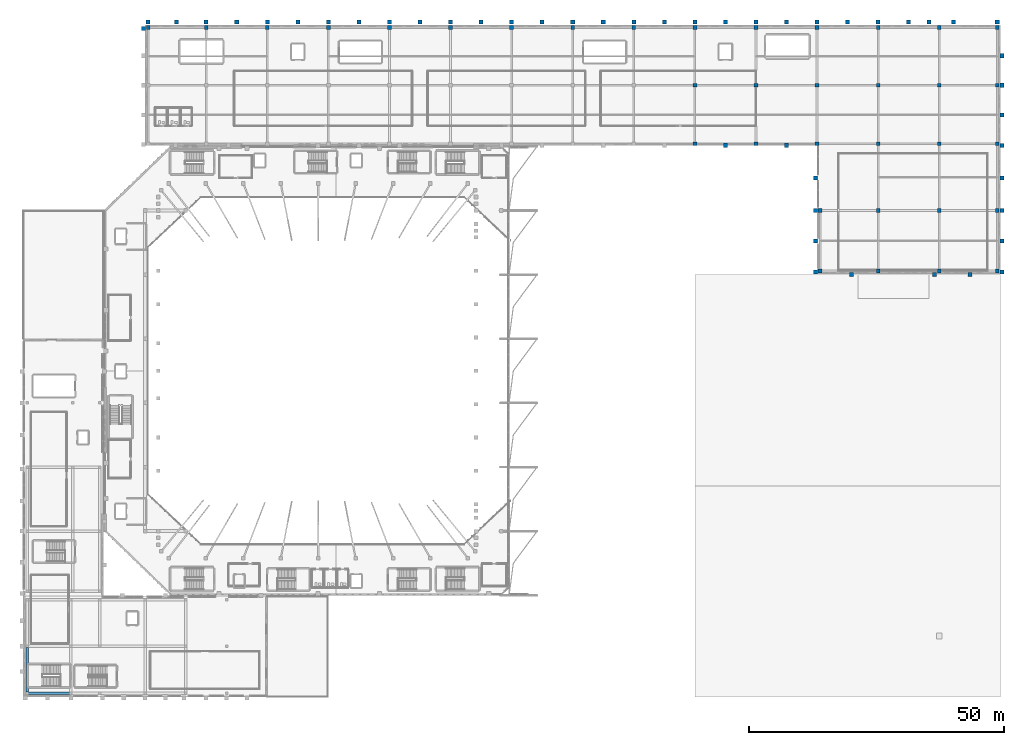
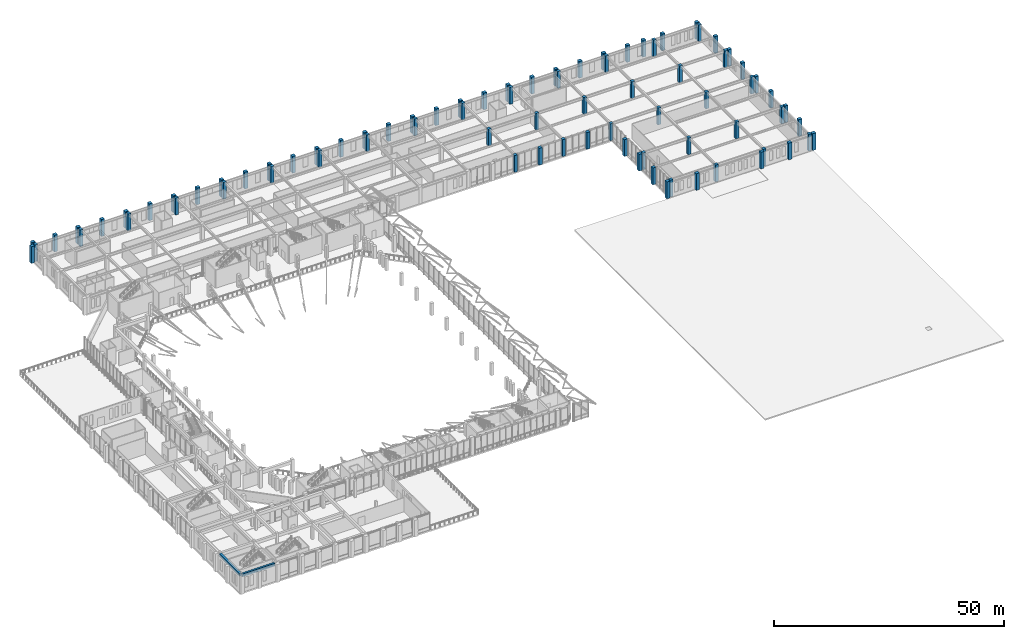
# One storey, part 2 of 79: 82 columns, 2 beams.
"""IFC4 building model written with IfcOpenShell, lengths in metres."""

from ifc_helpers import new_model, si_unit, derived_unit, direction, frame, origin, origin_2d, place, context, subcontext, project, spatial, rectangle, extrude, material, material_profile, profile_set, type_object, element, save


model = new_model("IFC4")

# Units and contexts
model_context = context("Model", 3, precision=1e-05, world=origin(), true_north=direction((0.0, 1.0)))
body_context = subcontext(model_context, "Body", "Model", "MODEL_VIEW")
ifc_project = project(units=[si_unit("LENGTHUNIT", "METRE"), si_unit("AREAUNIT", "SQUARE_METRE"), si_unit("VOLUMEUNIT", "CUBIC_METRE"), si_unit("PLANEANGLEUNIT", "RADIAN"), si_unit("MASSUNIT", "GRAM", prefix="KILO"), derived_unit("THERMALTRANSMITTANCEUNIT", [(si_unit("MASSUNIT", "GRAM", prefix="KILO"), 1), (si_unit("TIMEUNIT", "SECOND"), -3), (si_unit("THERMODYNAMICTEMPERATUREUNIT", "KELVIN"), -1)])], contexts=[model_context])

# Site, building, storey
site_placement = place(None, origin())
site = spatial("IfcSite", under=ifc_project, at=site_placement, CompositionType="ELEMENT")
building_placement = place(site_placement, origin())
building = spatial("IfcBuilding", under=site, at=building_placement, Name="Valcora Ridge Arena", CompositionType="ELEMENT")
storey_placement = place(building_placement, frame((0.0, 0.0, 16.199951171875)))
storey = spatial("IfcBuildingStorey", under=building, at=storey_placement, Name="L03", CompositionType="ELEMENT", Elevation=16.199951171875)

# Columns
ifc_material_1 = material(Name="Bush-hammered Andean travertine architectural concrete C45/55", Category="masonry")
ifc_material_profile_1 = material_profile(ifc_material_1, rectangle(XDim=0.800048828125, YDim=0.800048828125, at=origin_2d()), Name="RC 800x800")
ifc_profile_set_1 = profile_set([ifc_material_profile_1], Name="Bush-hammered Andean travertine architectural concrete C45/55")
column_type_1 = type_object("IfcColumnType", Name="TY-COLUMN-C-BUTT-800", PredefinedType="PILASTER", material=ifc_profile_set_1)
for number, where, z_axis, x_axis, name in (
    (1, (24.60009765625, 132.6201171875, 0.0), (0.0, 0.0, 1.0), (1.0, 0.0, 0.0), "C-BUTT-800 COL-C-BUTT-800-0058"),
    (2, (30.199951171875, 132.6201171875, 0.0), (0.0, 0.0, 1.0), (1.0, 0.0, 0.0), "C-BUTT-800 COL-C-BUTT-800-0059"),
    (3, (42.0, 132.6201171875, 0.0), (0.0, 0.0, 1.0), (1.0, 0.0, 0.0), "C-BUTT-800 COL-C-BUTT-800-0060"),
    (4, (54.0, 132.6201171875, 0.0), (0.0, 0.0, 1.0), (1.0, 0.0, 0.0), "C-BUTT-800 COL-C-BUTT-800-0061"),
    (5, (66.0, 132.6201171875, 0.0), (0.0, 0.0, 1.0), (1.0, 0.0, 0.0), "C-BUTT-800 COL-C-BUTT-800-0062"),
    (6, (78.0, 132.6201171875, 0.0), (0.0, 0.0, 1.0), (1.0, 0.0, 0.0), "C-BUTT-800 COL-C-BUTT-800-0063"),
    (7, (90.0, 132.6201171875, 0.0), (0.0, 0.0, 1.0), (1.0, 0.0, 0.0), "C-BUTT-800 COL-C-BUTT-800-0064"),
    (8, (102.0, 132.6201171875, 0.0), (0.0, 0.0, 1.0), (1.0, 0.0, 0.0), "C-BUTT-800 COL-C-BUTT-800-0065"),
    (9, (114.0, 132.6201171875, 0.0), (0.0, 0.0, 1.0), (1.0, 0.0, 0.0), "C-BUTT-800 COL-C-BUTT-800-0066"),
    (10, (126.0, 132.6201171875, 0.0), (0.0, 0.0, 1.0), (1.0, 0.0, 0.0), "C-BUTT-800 COL-C-BUTT-800-0067"),
    (11, (138.0, 132.6201171875, 0.0), (0.0, 0.0, 1.0), (1.0, 0.0, 0.0), "C-BUTT-800 COL-C-BUTT-800-0068"),
    (12, (150.0, 132.6201171875, 0.0), (0.0, 0.0, 1.0), (1.0, 0.0, 0.0), "C-BUTT-800 COL-C-BUTT-800-0069"),
    (13, (162.0, 132.6201171875, 0.0), (0.0, 0.0, 1.0), (1.0, 0.0, 0.0), "C-BUTT-800 COL-C-BUTT-800-0070"),
    (14, (174.0, 132.6201171875, 0.0), (0.0, 0.0, 1.0), (1.0, 0.0, 0.0), "C-BUTT-800 COL-C-BUTT-800-0071"),
    (15, (182.800048828125, 132.6201171875, 0.0), (0.0, 0.0, 1.0), (1.0, 0.0, 0.0), "C-BUTT-800 COL-C-BUTT-800-0072"),
    (16, (191.39990234375, 132.6201171875, 0.0), (0.0, 0.0, 1.0), (1.0, 0.0, 0.0), "C-BUTT-800 COL-C-BUTT-800-0073"),
    (17, (192.320068359375, 83.5, 0.0), (0.0, 0.0, 1.0), (1.0, 0.0, 0.0), "C-BUTT-800 COL-C-BUTT-800-0074"),
    (18, (192.320068359375, 89.60009765625, 0.0), (0.0, 0.0, 1.0), (1.0, 0.0, 0.0), "C-BUTT-800 COL-C-BUTT-800-0075"),
    (19, (192.320068359375, 95.60009765625, 0.0), (0.0, 0.0, 1.0), (1.0, 0.0, 0.0), "C-BUTT-800 COL-C-BUTT-800-0076"),
    (20, (192.320068359375, 102.0, 0.0), (0.0, 0.0, 1.0), (1.0, 0.0, 0.0), "C-BUTT-800 COL-C-BUTT-800-0077"),
    (21, (192.320068359375, 108.39990234375, 0.0), (0.0, 0.0, 1.0), (1.0, 0.0, 0.0), "C-BUTT-800 COL-C-BUTT-800-0078"),
    (22, (192.320068359375, 114.39990234375, 0.0), (0.0, 0.0, 1.0), (1.0, 0.0, 0.0), "C-BUTT-800 COL-C-BUTT-800-0079"),
    (23, (192.320068359375, 120.199951171875, 0.0), (0.0, 0.0, 1.0), (1.0, 0.0, 0.0), "C-BUTT-800 COL-C-BUTT-800-0080"),
    (24, (192.320068359375, 126.0, 0.0), (0.0, 0.0, 1.0), (1.0, 0.0, 0.0), "C-BUTT-800 COL-C-BUTT-800-0081"),
    (25, (23.679931640625, 131.35009765625, 0.0), (0.0, 0.0, 1.0), (1.0, 0.0, 0.0), "C-BUTT-800 COL-C-BUTT-800-0086"),
    (26, (155.679931640625, 83.5, 0.0), (0.0, 0.0, 1.0), (1.0, 0.0, 0.0), "C-BUTT-800 COL-C-BUTT-800-0087"),
    (27, (155.679931640625, 89.60009765625, 0.0), (0.0, 0.0, 1.0), (1.0, 0.0, 0.0), "C-BUTT-800 COL-C-BUTT-800-0088"),
    (28, (155.679931640625, 95.60009765625, 0.0), (0.0, 0.0, 1.0), (1.0, 0.0, 0.0), "C-BUTT-800 COL-C-BUTT-800-0089"),
    (29, (155.679931640625, 102.0, 0.0), (0.0, 0.0, 1.0), (1.0, 0.0, 0.0), "C-BUTT-800 COL-C-BUTT-800-0090"),
    (30, (162.800048828125, 83.0, 0.0), (0.0, 0.0, 1.0), (1.0, 0.0, 0.0), "C-BUTT-800 COL-C-BUTT-800-0091"),
    (31, (179.050048828125, 83.0, 0.0), (0.0, 0.0, 1.0), (1.0, 0.0, 0.0), "C-BUTT-800 COL-C-BUTT-800-0092"),
    (32, (186.0, 83.0, 0.0), (0.0, 0.0, 1.0), (1.0, 0.0, 0.0), "C-BUTT-800 COL-C-BUTT-800-0093"),
    (33, (36.0, 132.6201171875, 0.0), (0.0, 0.0, 1.0), (1.0, 0.0, 0.0), "C-BUTT-800 COL-C-BUTT-800-0094"),
    (34, (48.0, 132.6201171875, 0.0), (0.0, 0.0, 1.0), (1.0, 0.0, 0.0), "C-BUTT-800 COL-C-BUTT-800-0095"),
    (35, (60.0, 132.6201171875, 0.0), (0.0, 0.0, 1.0), (1.0, 0.0, 0.0), "C-BUTT-800 COL-C-BUTT-800-0096"),
    (36, (72.0, 132.6201171875, 0.0), (0.0, 0.0, 1.0), (1.0, 0.0, 0.0), "C-BUTT-800 COL-C-BUTT-800-0097"),
    (37, (84.0, 132.6201171875, 0.0), (0.0, 0.0, 1.0), (1.0, 0.0, 0.0), "C-BUTT-800 COL-C-BUTT-800-0098"),
    (38, (96.0, 132.6201171875, 0.0), (0.0, 0.0, 1.0), (1.0, 0.0, 0.0), "C-BUTT-800 COL-C-BUTT-800-0099"),
    (39, (108.0, 132.6201171875, 0.0), (0.0, 0.0, 1.0), (1.0, 0.0, 0.0), "C-BUTT-800 COL-C-BUTT-800-0100"),
    (40, (120.0, 132.6201171875, 0.0), (0.0, 0.0, 1.0), (1.0, 0.0, 0.0), "C-BUTT-800 COL-C-BUTT-800-0101"),
    (41, (132.0, 132.6201171875, 0.0), (0.0, 0.0, 1.0), (1.0, 0.0, 0.0), "C-BUTT-800 COL-C-BUTT-800-0102"),
    (42, (144.0, 132.6201171875, 0.0), (0.0, 0.0, 1.0), (1.0, 0.0, 0.0), "C-BUTT-800 COL-C-BUTT-800-0103"),
    (43, (156.0, 132.6201171875, 0.0), (0.0, 0.0, 1.0), (1.0, 0.0, 0.0), "C-BUTT-800 COL-C-BUTT-800-0104"),
    (44, (168.0, 132.6201171875, 0.0), (0.0, 0.0, 1.0), (1.0, 0.0, 0.0), "C-BUTT-800 COL-C-BUTT-800-0105"),
    (45, (178.0, 132.6201171875, 0.0), (0.0, 0.0, 1.0), (1.0, 0.0, 0.0), "C-BUTT-800 COL-C-BUTT-800-0106"),
    (46, (138.0, 108.419921875, 0.0), (0.0, 0.0, 1.0), (1.0, 0.0, 0.0), "C-BUTT-800 COL-C-BUTT-800-0116"),
    (47, (150.0, 108.419921875, 0.0), (0.0, 0.0, 1.0), (1.0, 0.0, 0.0), "C-BUTT-800 COL-C-BUTT-800-0117"),
):
    element("IfcColumn", number, at=place(storey_placement, frame(where, z_axis=z_axis, x_axis=x_axis)), inside=storey, type_object=column_type_1, Name=name, PredefinedType="PILASTER", context=body_context, shape_type="SweptSolid", body=[
        extrude(rectangle(XDim=0.800048828125, YDim=0.800048828125, at=origin_2d()), origin(), (0.0, 0.0, 1.0), 4.4599609375),
    ])
ifc_material_2 = material(Name="Concrete C40/50", Category="concrete")
ifc_material_profile_2 = material_profile(ifc_material_2, rectangle(XDim=0.75, YDim=0.75, at=origin_2d()), Name="RC 750x750")
ifc_profile_set_2 = profile_set([ifc_material_profile_2], Name="Concrete C40/50")
column_type_2 = type_object("IfcColumnType", Name="TY-COLUMN-C-RC750", PredefinedType="COLUMN", material=ifc_profile_set_2)
for number, where, z_axis, x_axis, name in (
    (48, (24.60009765625, 131.550048828125, 0.0), (0.0, 0.0, 1.0), (1.0, 0.0, 0.0), "C-RC750 COL-C-RC750-0006"),
    (49, (36.0, 131.550048828125, 0.0), (0.0, 0.0, 1.0), (1.0, 0.0, 0.0), "C-RC750 COL-C-RC750-0012"),
    (50, (48.0, 131.550048828125, 0.0), (0.0, 0.0, 1.0), (1.0, 0.0, 0.0), "C-RC750 COL-C-RC750-0018"),
    (51, (60.0, 131.550048828125, 0.0), (0.0, 0.0, 1.0), (1.0, 0.0, 0.0), "C-RC750 COL-C-RC750-0024"),
    (52, (72.0, 131.550048828125, 0.0), (0.0, 0.0, 1.0), (1.0, 0.0, 0.0), "C-RC750 COL-C-RC750-0030"),
    (53, (84.0, 131.550048828125, 0.0), (0.0, 0.0, 1.0), (1.0, 0.0, 0.0), "C-RC750 COL-C-RC750-0036"),
    (54, (96.0, 131.550048828125, 0.0), (0.0, 0.0, 1.0), (1.0, 0.0, 0.0), "C-RC750 COL-C-RC750-0042"),
    (55, (108.0, 131.550048828125, 0.0), (0.0, 0.0, 1.0), (1.0, 0.0, 0.0), "C-RC750 COL-C-RC750-0048"),
    (56, (120.0, 131.550048828125, 0.0), (0.0, 0.0, 1.0), (1.0, 0.0, 0.0), "C-RC750 COL-C-RC750-0054"),
    (57, (132.0, 108.699951171875, 0.0), (0.0, 0.0, 1.0), (1.0, 0.0, 0.0), "C-RC750 COL-C-RC750-0056"),
    (58, (132.0, 120.199951171875, 0.0), (0.0, 0.0, 1.0), (1.0, 0.0, 0.0), "C-RC750 COL-C-RC750-0058"),
    (59, (132.0, 131.550048828125, 0.0), (0.0, 0.0, 1.0), (1.0, 0.0, 0.0), "C-RC750 COL-C-RC750-0060"),
    (60, (144.0, 108.699951171875, 0.0), (0.0, 0.0, 1.0), (1.0, 0.0, 0.0), "C-RC750 COL-C-RC750-0062"),
    (61, (144.0, 120.199951171875, 0.0), (0.0, 0.0, 1.0), (1.0, 0.0, 0.0), "C-RC750 COL-C-RC750-0064"),
    (62, (144.0, 131.550048828125, 0.0), (0.0, 0.0, 1.0), (1.0, 0.0, 0.0), "C-RC750 COL-C-RC750-0066"),
    (63, (156.0, 108.699951171875, 0.0), (0.0, 0.0, 1.0), (1.0, 0.0, 0.0), "C-RC750 COL-C-RC750-0068"),
    (64, (156.0, 120.199951171875, 0.0), (0.0, 0.0, 1.0), (1.0, 0.0, 0.0), "C-RC750 COL-C-RC750-0070"),
    (65, (156.0, 131.550048828125, 0.0), (0.0, 0.0, 1.0), (1.0, 0.0, 0.0), "C-RC750 COL-C-RC750-0072"),
    (66, (168.0, 108.699951171875, 0.0), (0.0, 0.0, 1.0), (1.0, 0.0, 0.0), "C-RC750 COL-C-RC750-0074"),
    (67, (168.0, 120.199951171875, 0.0), (0.0, 0.0, 1.0), (1.0, 0.0, 0.0), "C-RC750 COL-C-RC750-0076"),
    (68, (168.0, 131.550048828125, 0.0), (0.0, 0.0, 1.0), (1.0, 0.0, 0.0), "C-RC750 COL-C-RC750-0078"),
    (69, (180.0, 108.699951171875, 0.0), (0.0, 0.0, 1.0), (1.0, 0.0, 0.0), "C-RC750 COL-C-RC750-0080"),
    (70, (180.0, 120.199951171875, 0.0), (0.0, 0.0, 1.0), (1.0, 0.0, 0.0), "C-RC750 COL-C-RC750-0082"),
    (71, (180.0, 131.550048828125, 0.0), (0.0, 0.0, 1.0), (1.0, 0.0, 0.0), "C-RC750 COL-C-RC750-0084"),
    (72, (191.39990234375, 108.699951171875, 0.0), (0.0, 0.0, 1.0), (1.0, 0.0, 0.0), "C-RC750 COL-C-RC750-0086"),
    (73, (191.39990234375, 120.199951171875, 0.0), (0.0, 0.0, 1.0), (1.0, 0.0, 0.0), "C-RC750 COL-C-RC750-0088"),
    (74, (191.39990234375, 131.550048828125, 0.0), (0.0, 0.0, 1.0), (1.0, 0.0, 0.0), "C-RC750 COL-C-RC750-0090"),
    (75, (156.60009765625, 83.699951171875, 0.0), (0.0, 0.0, 1.0), (1.0, 0.0, 0.0), "C-RC750 COL-C-RC750-0092"),
    (76, (156.60009765625, 95.60009765625, 0.0), (0.0, 0.0, 1.0), (1.0, 0.0, 0.0), "C-RC750 COL-C-RC750-0094"),
    (77, (168.0, 83.699951171875, 0.0), (0.0, 0.0, 1.0), (1.0, 0.0, 0.0), "C-RC750 COL-C-RC750-0096"),
    (78, (168.0, 95.60009765625, 0.0), (0.0, 0.0, 1.0), (1.0, 0.0, 0.0), "C-RC750 COL-C-RC750-0098"),
    (79, (180.0, 83.699951171875, 0.0), (0.0, 0.0, 1.0), (1.0, 0.0, 0.0), "C-RC750 COL-C-RC750-0100"),
    (80, (180.0, 95.60009765625, 0.0), (0.0, 0.0, 1.0), (1.0, 0.0, 0.0), "C-RC750 COL-C-RC750-0102"),
    (81, (191.39990234375, 83.699951171875, 0.0), (0.0, 0.0, 1.0), (1.0, 0.0, 0.0), "C-RC750 COL-C-RC750-0104"),
    (82, (191.39990234375, 95.60009765625, 0.0), (0.0, 0.0, 1.0), (1.0, 0.0, 0.0), "C-RC750 COL-C-RC750-0106"),
):
    element("IfcColumn", number, at=place(storey_placement, frame(where, z_axis=z_axis, x_axis=x_axis)), inside=storey, type_object=column_type_2, Name=name, PredefinedType="COLUMN", context=body_context, shape_type="SweptSolid", body=[
        extrude(rectangle(XDim=0.75, YDim=0.75, at=origin_2d()), origin(), (0.0, 0.0, 1.0), 4.4599609375),
    ])

# Beams
ifc_material_profile_3 = material_profile(ifc_material_2, rectangle(XDim=0.5, YDim=0.75, at=origin_2d()), Name="RC 500x750")
ifc_profile_set_3 = profile_set([ifc_material_profile_3], Name="Concrete C40/50")
beam_type_1 = type_object("IfcBeamType", Name="TY-BEAM-B-RC500-Y", PredefinedType="BEAM", material=ifc_profile_set_3)
beam_1_placement = place(storey_placement, frame((0.800048828125, 1.0, 4.06494140625), z_axis=(0.0, 1.0, 0.0), x_axis=(-1.0, 0.0, 0.0)))
element("IfcBeam", 83, at=beam_1_placement, inside=storey, type_object=beam_type_1, Name="B-RC500-Y BEM-B-RC500-Y-0092", PredefinedType="BEAM", context=body_context, shape_type="SweptSolid", body=[
    extrude(rectangle(XDim=0.5, YDim=0.75, at=origin_2d()), origin(), (0.0, 0.0, 1.0), 8.800048828125),
])
ifc_material_profile_4 = material_profile(ifc_material_2, rectangle(XDim=0.5, YDim=0.75, at=origin_2d()), Name="RC 500x750")
ifc_profile_set_4 = profile_set([ifc_material_profile_4], Name="Concrete C40/50")
beam_type_2 = type_object("IfcBeamType", Name="TY-BEAM-EB-RC500", PredefinedType="BEAM", material=ifc_profile_set_4)
beam_2_placement = place(storey_placement, frame((1.0, 0.800048828125, 4.06494140625), z_axis=(1.0, 0.0, 0.0), x_axis=(0.0, 1.0, 0.0)))
element("IfcBeam", 84, at=beam_2_placement, inside=storey, type_object=beam_type_2, Name="EB-RC500 BEM-EB-RC500-0025", PredefinedType="BEAM", context=body_context, shape_type="SweptSolid", body=[
    extrude(rectangle(XDim=0.5, YDim=0.75, at=origin_2d()), origin(), (0.0, 0.0, 1.0), 8.199951171875),
])

save(model, "model.ifc")
